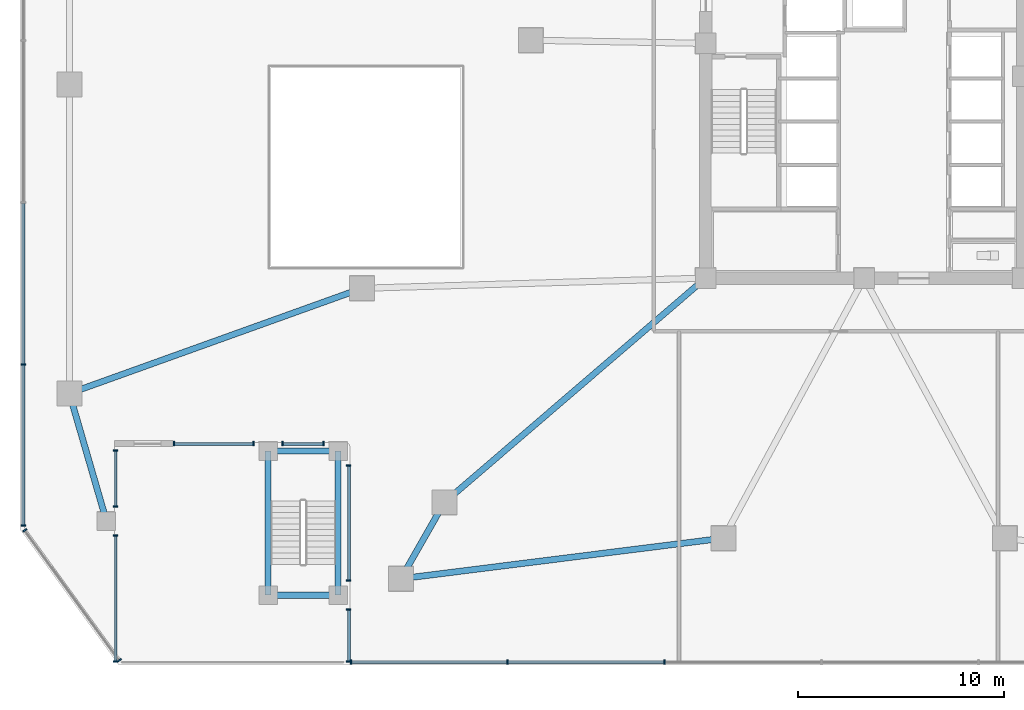
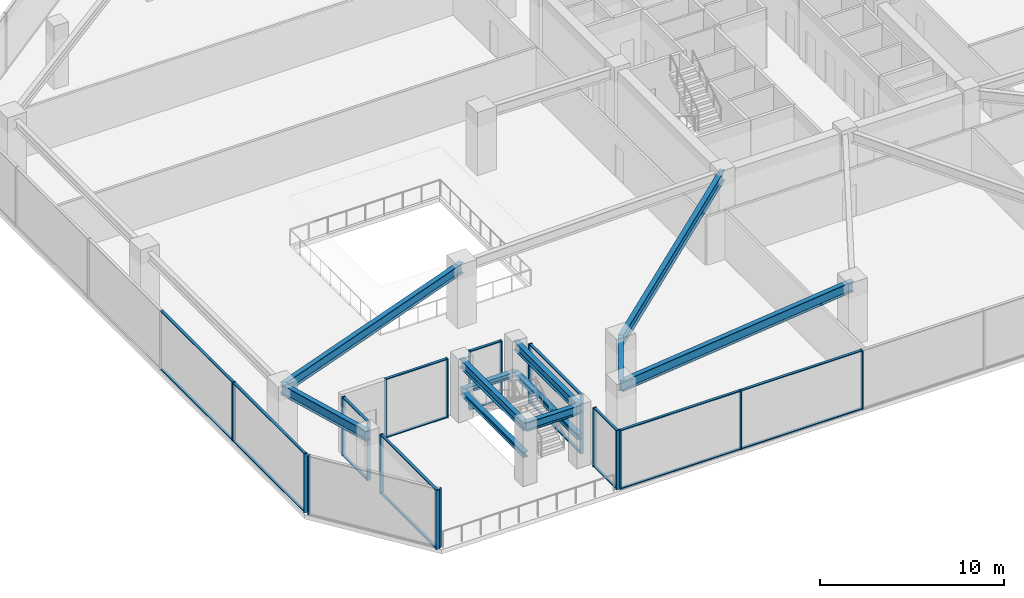
# One storey, part 2 of 22: 39 members, 11 beams, 9 elements without a shape of their own.
"""IFC4 building model written with IfcOpenShell, lengths in metres."""

from ifc_helpers import new_model, si_unit, direction, frame, origin, origin_2d, place, context, subcontext, project, spatial, rectangle, i_section, extrude, material, material_profile, profile_set, type_object, element, aggregate, save


model = new_model("IFC4")

# Units and contexts
model_context = context("Model", 3, precision=1e-05, world=origin(), true_north=direction((0.0, 1.0)))
body_context = subcontext(model_context, "Body", "Model", "MODEL_VIEW")
ifc_project = project(units=[si_unit("LENGTHUNIT", "METRE"), si_unit("AREAUNIT", "SQUARE_METRE"), si_unit("VOLUMEUNIT", "CUBIC_METRE"), si_unit("PLANEANGLEUNIT", "RADIAN"), si_unit("MASSUNIT", "GRAM", prefix="KILO")], contexts=[model_context])

# Site, building, storey
site_placement = place(None, origin())
site = spatial("IfcSite", under=ifc_project, at=site_placement, CompositionType="ELEMENT")
building_placement = place(site_placement, origin())
building = spatial("IfcBuilding", under=site, at=building_placement, Name="Savorim Split Tower", CompositionType="ELEMENT")
storey_placement = place(building_placement, frame((0.0, 0.0, 13.39990234375)))
storey = spatial("IfcBuildingStorey", under=building, at=storey_placement, Name="L03", CompositionType="ELEMENT", Elevation=13.39990234375)

# Beams
ifc_material_1 = material(Name="Steel S355", Category="steel")
ifc_material_profile_1 = material_profile(ifc_material_1, i_section(OverallWidth=0.300048828125, OverallDepth=0.60009765625, WebThickness=0.015380859375, FlangeThickness=0.030029296875, FilletRadius=0.027099609375, at=origin_2d()), Name="HEB 600")
ifc_profile_set_1 = profile_set([ifc_material_profile_1], Name="Steel S355")
beam_type_1 = type_object("IfcBeamType", Name="BM-PRI-HEB600", PredefinedType="BEAM", material=ifc_profile_set_1)
beam_1_placement = place(storey_placement, frame((-28.949951171875, -24.800048828125, 3.6201171875), z_axis=(1.0, 0.0, 0.0), x_axis=(0.0, 1.0, 0.0)))
element("IfcBeam", 1, at=beam_1_placement, inside=storey, type_object=beam_type_1, Name="L03 Exterior Garden Stair Framing Beam 1", PredefinedType="BEAM", context=body_context, shape_type="SweptSolid", body=[
    extrude(i_section(OverallWidth=0.300048828125, OverallDepth=0.60009765625, WebThickness=0.015380859375, FlangeThickness=0.030029296875, FilletRadius=0.027099609375, at=origin_2d()), origin(), (0.0, 0.0, 1.0), 3.39990234375),
])
for number, where, z_axis, x_axis, name in (
    (2, (-28.949951171875, -24.800048828125, 3.6201171875), (0.0, 1.0, 0.0), (-1.0, 0.0, 0.0), "L03 Exterior Garden Stair Framing Beam 3"),
    (3, (-25.550048828125, -24.800048828125, 3.6201171875), (0.0, 1.0, 0.0), (-1.0, 0.0, 0.0), "L03 Exterior Garden Stair Framing Beam 4"),
):
    element("IfcBeam", number, at=place(storey_placement, frame(where, z_axis=z_axis, x_axis=x_axis)), inside=storey, type_object=beam_type_1, Name=name, PredefinedType="BEAM", context=body_context, shape_type="SweptSolid", body=[
        extrude(i_section(OverallWidth=0.300048828125, OverallDepth=0.60009765625, WebThickness=0.015380859375, FlangeThickness=0.030029296875, FilletRadius=0.027099609375, at=origin_2d()), origin(), (0.0, 0.0, 1.0), 7.0),
    ])
ifc_material_profile_2 = material_profile(ifc_material_1, i_section(OverallWidth=0.300048828125, OverallDepth=0.699951171875, WebThickness=0.01708984375, FlangeThickness=0.031982421875, FilletRadius=0.027099609375, at=origin_2d()), Name="HEB 700")
ifc_profile_set_2 = profile_set([ifc_material_profile_2], Name="Steel S355")
beam_type_2 = type_object("IfcBeamType", Name="BM-PRI-HEB700", PredefinedType="BEAM", material=ifc_profile_set_2)
beam_2_placement = place(storey_placement, frame((-22.5, -24.0, 3.570068359375), z_axis=(0.495603085314, 0.868549124591, 0.0), x_axis=(-0.868549124591, 0.495603085314, 0.0)))
element("IfcBeam", 4, at=beam_2_placement, inside=storey, type_object=beam_type_2, Name="L03 Podium Primary Girder BG-01", PredefinedType="BEAM", context=body_context, shape_type="SweptSolid", body=[
    extrude(i_section(OverallWidth=0.300048828125, OverallDepth=0.699951171875, WebThickness=0.01708984375, FlangeThickness=0.031982421875, FilletRadius=0.027099609375, at=origin_2d()), origin(), (0.0, 0.0, 1.0), 4.26953125),
])
beam_3_placement = place(storey_placement, frame((-22.5, -24.0, 3.570068359375), z_axis=(0.992201816191, 0.124641710303, 0.0), x_axis=(-0.124641710303, 0.992201816191, 0.0)))
element("IfcBeam", 5, at=beam_3_placement, inside=storey, type_object=beam_type_2, Name="L03 Podium Primary Girder BG-02", PredefinedType="BEAM", context=body_context, shape_type="SweptSolid", body=[
    extrude(i_section(OverallWidth=0.300048828125, OverallDepth=0.699951171875, WebThickness=0.01708984375, FlangeThickness=0.031982421875, FilletRadius=0.027099609375, at=origin_2d()), origin(), (0.0, 0.0, 1.0), 15.791259765625),
])
beam_4_placement = place(storey_placement, frame((-38.60009765625, -15.0, 3.570068359375), z_axis=(0.941138119123, 0.338022248874, 0.0), x_axis=(-0.338022248874, 0.941138119123, 0.0)))
element("IfcBeam", 6, at=beam_4_placement, inside=storey, type_object=beam_type_2, Name="L03 Podium Primary Girder BG-19", PredefinedType="BEAM", context=body_context, shape_type="SweptSolid", body=[
    extrude(i_section(OverallWidth=0.300048828125, OverallDepth=0.699951171875, WebThickness=0.01708984375, FlangeThickness=0.031982421875, FilletRadius=0.027099609375, at=origin_2d()), origin(), (0.0, 0.0, 1.0), 15.104736328125),
])
beam_5_placement = place(storey_placement, frame((-38.60009765625, -15.0, 3.570068359375), z_axis=(0.278819195264, -0.960343613689, 0.0), x_axis=(0.960343613689, 0.278819195264, 0.0)))
element("IfcBeam", 7, at=beam_5_placement, inside=storey, type_object=beam_type_2, Name="L03 Podium Primary Girder BG-20", PredefinedType="BEAM", context=body_context, shape_type="SweptSolid", body=[
    extrude(i_section(OverallWidth=0.300048828125, OverallDepth=0.699951171875, WebThickness=0.01708984375, FlangeThickness=0.031982421875, FilletRadius=0.027099609375, at=origin_2d()), origin(), (0.0, 0.0, 1.0), 6.4560546875),
])
beam_6_placement = place(storey_placement, frame((-20.384033203125, -20.291748046875, 3.570068359375), z_axis=(0.758671842154, 0.651472974054, 0.0), x_axis=(-0.651472974054, 0.758671842154, 0.0)))
element("IfcBeam", 8, at=beam_6_placement, inside=storey, type_object=beam_type_2, Name="L03 Podium Primary Girder BG-22", PredefinedType="BEAM", context=body_context, shape_type="SweptSolid", body=[
    extrude(i_section(OverallWidth=0.300048828125, OverallDepth=0.699951171875, WebThickness=0.01708984375, FlangeThickness=0.031982421875, FilletRadius=0.027099609375, at=origin_2d()), origin(), (0.0, 0.0, 1.0), 16.71875),
])
ifc_material_profile_3 = material_profile(ifc_material_1, i_section(OverallWidth=0.300048828125, OverallDepth=0.35009765625, WebThickness=0.010009765625, FlangeThickness=0.017578125, FilletRadius=0.027099609375, at=origin_2d()), Name="HEA 360")
ifc_profile_set_3 = profile_set([ifc_material_profile_3], Name="Steel S355")
beam_type_3 = type_object("IfcBeamType", Name="BM-SPN-HEA360", PredefinedType="SPANDREL", material=ifc_profile_set_3)
beam_7_placement = place(storey_placement, frame((-28.949951171875, -17.800048828125, 1.72509765625), z_axis=(1.0, 0.0, 0.0), x_axis=(0.0, 1.0, 0.0)))
element("IfcBeam", 9, at=beam_7_placement, inside=storey, type_object=beam_type_3, Name="L03 Garden Stair Half-Landing Beam 1", PredefinedType="SPANDREL", context=body_context, shape_type="SweptSolid", body=[
    extrude(i_section(OverallWidth=0.300048828125, OverallDepth=0.35009765625, WebThickness=0.010009765625, FlangeThickness=0.017578125, FilletRadius=0.027099609375, at=origin_2d()), origin(), (0.0, 0.0, 1.0), 3.39990234375),
])
for number, where, z_axis, x_axis, name in (
    (10, (-28.949951171875, -24.800048828125, 1.72509765625), (0.0, 1.0, 0.0), (-1.0, 0.0, 0.0), "L03 Garden Stair Half-Landing Beam 2"),
    (11, (-25.550048828125, -24.800048828125, 1.72509765625), (0.0, 1.0, 0.0), (-1.0, 0.0, 0.0), "L03 Garden Stair Half-Landing Beam 3"),
):
    element("IfcBeam", number, at=place(storey_placement, frame(where, z_axis=z_axis, x_axis=x_axis)), inside=storey, type_object=beam_type_3, Name=name, PredefinedType="SPANDREL", context=body_context, shape_type="SweptSolid", body=[
        extrude(i_section(OverallWidth=0.300048828125, OverallDepth=0.35009765625, WebThickness=0.010009765625, FlangeThickness=0.017578125, FilletRadius=0.027099609375, at=origin_2d()), origin(), (0.0, 0.0, 1.0), 7.0),
    ])

# Curtain wall, members
ifc_material_2 = material(Name="Dark Ceramic-Fritted Insulated Glass", Category="glass")
curtain_wall_type = type_object("IfcCurtainWallType", Name="CW-POD-GLZ", PredefinedType="NOTDEFINED", material=ifc_material_2)
curtain_wall_1_placement = place(storey_placement, origin())
curtain_wall_1 = element("IfcCurtainWall", 12, at=curtain_wall_1_placement, inside=storey, type_object=curtain_wall_type, Name="L03 Curtain Wall CW-L03-E01S1", PredefinedType="NOTDEFINED")
ifc_material_3 = material(Name="Charcoal Anodised Aluminium", Category="aluminium")
ifc_material_profile_4 = material_profile(ifc_material_3, rectangle(XDim=0.219970703125, YDim=0.070068359375, at=origin_2d()), Name="ALU-M 220x70")
ifc_profile_set_4 = profile_set([ifc_material_profile_4], Name="Charcoal Anodised Aluminium")
member_type_1 = type_object("IfcMemberType", Name="CWM-220x70", PredefinedType="MULLION", material=ifc_profile_set_4)
member_1_placement = place(storey_placement, frame((-36.360107421875, -28.02490234375, 0.0), z_axis=(0.0, 0.0, 1.0), x_axis=(-1.0, 0.0, 0.0)))
member_1 = element("IfcMember", 13, at=member_1_placement, type_object=member_type_1, Name="CW-01 mullion 1", PredefinedType="MULLION", context=body_context, shape_type="SweptSolid", body=[
    extrude(rectangle(XDim=0.219970703125, YDim=0.070068359375, at=origin_2d()), origin(), (0.0, 0.0, 1.0), 3.920166015625),
])
member_2_placement = place(storey_placement, frame((-36.360107421875, -21.905029296875, 0.0), z_axis=(0.0, 0.0, 1.0), x_axis=(-1.0, 0.0, 0.0)))
member_2 = element("IfcMember", 14, at=member_2_placement, type_object=member_type_1, Name="CW-01 mullion 2", PredefinedType="MULLION", context=body_context, shape_type="SweptSolid", body=[
    extrude(rectangle(XDim=0.219970703125, YDim=0.070068359375, at=origin_2d()), origin(), (0.0, 0.0, 1.0), 3.920166015625),
])

curtain_wall_2_placement = place(storey_placement, origin())
curtain_wall_2 = element("IfcCurtainWall", 15, at=curtain_wall_2_placement, inside=storey, type_object=curtain_wall_type, Name="L03 Curtain Wall CW-L03-E01S2", PredefinedType="NOTDEFINED")
member_3_placement = place(storey_placement, frame((-36.360107421875, -20.4951171875, 0.0), z_axis=(0.0, 0.0, 1.0), x_axis=(-1.0, 0.0, 0.0)))
member_3 = element("IfcMember", 16, at=member_3_placement, type_object=member_type_1, Name="CW-01 mullion 1", PredefinedType="MULLION", context=body_context, shape_type="SweptSolid", body=[
    extrude(rectangle(XDim=0.219970703125, YDim=0.070068359375, at=origin_2d()), origin(), (0.0, 0.0, 1.0), 3.920166015625),
])
member_4_placement = place(storey_placement, frame((-36.360107421875, -17.77490234375, 0.0), z_axis=(0.0, 0.0, 1.0), x_axis=(-1.0, 0.0, 0.0)))
member_4 = element("IfcMember", 17, at=member_4_placement, type_object=member_type_1, Name="CW-01 mullion 2", PredefinedType="MULLION", context=body_context, shape_type="SweptSolid", body=[
    extrude(rectangle(XDim=0.219970703125, YDim=0.070068359375, at=origin_2d()), origin(), (0.0, 0.0, 1.0), 3.920166015625),
])

curtain_wall_3_placement = place(storey_placement, origin())
curtain_wall_3 = element("IfcCurtainWall", 18, at=curtain_wall_3_placement, inside=storey, type_object=curtain_wall_type, Name="L03 Curtain Wall CW-L03-E02S1", PredefinedType="NOTDEFINED")
member_5_placement = place(storey_placement, frame((-33.52490234375, -17.43994140625, 0.0), z_axis=(0.0, 0.0, 1.0), x_axis=(0.0, 1.0, 0.0)))
member_5 = element("IfcMember", 19, at=member_5_placement, type_object=member_type_1, Name="CW-01 mullion 1", PredefinedType="MULLION", context=body_context, shape_type="SweptSolid", body=[
    extrude(rectangle(XDim=0.219970703125, YDim=0.070068359375, at=origin_2d()), origin(), (0.0, 0.0, 1.0), 3.920166015625),
])
member_6_placement = place(storey_placement, frame((-29.655029296875, -17.43994140625, 0.0), z_axis=(0.0, 0.0, 1.0), x_axis=(0.0, 1.0, 0.0)))
member_6 = element("IfcMember", 20, at=member_6_placement, type_object=member_type_1, Name="CW-01 mullion 2", PredefinedType="MULLION", context=body_context, shape_type="SweptSolid", body=[
    extrude(rectangle(XDim=0.219970703125, YDim=0.070068359375, at=origin_2d()), origin(), (0.0, 0.0, 1.0), 3.920166015625),
])

curtain_wall_4_placement = place(storey_placement, origin())
curtain_wall_4 = element("IfcCurtainWall", 21, at=curtain_wall_4_placement, inside=storey, type_object=curtain_wall_type, Name="L03 Curtain Wall CW-L03-E02S2", PredefinedType="NOTDEFINED")
member_7_placement = place(storey_placement, frame((-28.2451171875, -17.43994140625, 0.0), z_axis=(0.0, 0.0, 1.0), x_axis=(0.0, 1.0, 0.0)))
member_7 = element("IfcMember", 22, at=member_7_placement, type_object=member_type_1, Name="CW-01 mullion 1", PredefinedType="MULLION", context=body_context, shape_type="SweptSolid", body=[
    extrude(rectangle(XDim=0.219970703125, YDim=0.070068359375, at=origin_2d()), origin(), (0.0, 0.0, 1.0), 3.920166015625),
])
member_8_placement = place(storey_placement, frame((-26.2548828125, -17.43994140625, 0.0), z_axis=(0.0, 0.0, 1.0), x_axis=(0.0, 1.0, 0.0)))
member_8 = element("IfcMember", 23, at=member_8_placement, type_object=member_type_1, Name="CW-01 mullion 2", PredefinedType="MULLION", context=body_context, shape_type="SweptSolid", body=[
    extrude(rectangle(XDim=0.219970703125, YDim=0.070068359375, at=origin_2d()), origin(), (0.0, 0.0, 1.0), 3.920166015625),
])

curtain_wall_5_placement = place(storey_placement, origin())
curtain_wall_5 = element("IfcCurtainWall", 24, at=curtain_wall_5_placement, inside=storey, type_object=curtain_wall_type, Name="L03 Curtain Wall CW-L03-E03S1", PredefinedType="NOTDEFINED")
member_9_placement = place(storey_placement, frame((-25.0400390625, -18.5048828125, 0.0), z_axis=(0.0, 0.0, 1.0), x_axis=(1.0, 0.0, 0.0)))
member_9 = element("IfcMember", 25, at=member_9_placement, type_object=member_type_1, Name="CW-01 mullion 1", PredefinedType="MULLION", context=body_context, shape_type="SweptSolid", body=[
    extrude(rectangle(XDim=0.219970703125, YDim=0.070068359375, at=origin_2d()), origin(), (0.0, 0.0, 1.0), 3.920166015625),
])
member_10_placement = place(storey_placement, frame((-25.0400390625, -24.094970703125, 0.0), z_axis=(0.0, 0.0, 1.0), x_axis=(1.0, 0.0, 0.0)))
member_10 = element("IfcMember", 26, at=member_10_placement, type_object=member_type_1, Name="CW-01 mullion 2", PredefinedType="MULLION", context=body_context, shape_type="SweptSolid", body=[
    extrude(rectangle(XDim=0.219970703125, YDim=0.070068359375, at=origin_2d()), origin(), (0.0, 0.0, 1.0), 3.920166015625),
])

curtain_wall_6_placement = place(storey_placement, origin())
curtain_wall_6 = element("IfcCurtainWall", 27, at=curtain_wall_6_placement, inside=storey, type_object=curtain_wall_type, Name="L03 Curtain Wall CW-L03-E03S2", PredefinedType="NOTDEFINED")
member_11_placement = place(storey_placement, frame((-25.0400390625, -25.5048828125, 0.0), z_axis=(0.0, 0.0, 1.0), x_axis=(1.0, 0.0, 0.0)))
member_11 = element("IfcMember", 28, at=member_11_placement, type_object=member_type_1, Name="CW-01 mullion 1", PredefinedType="MULLION", context=body_context, shape_type="SweptSolid", body=[
    extrude(rectangle(XDim=0.219970703125, YDim=0.070068359375, at=origin_2d()), origin(), (0.0, 0.0, 1.0), 3.920166015625),
])
member_12_placement = place(storey_placement, frame((-25.0400390625, -28.02490234375, 0.0), z_axis=(0.0, 0.0, 1.0), x_axis=(1.0, 0.0, 0.0)))
member_12 = element("IfcMember", 29, at=member_12_placement, type_object=member_type_1, Name="CW-01 mullion 2", PredefinedType="MULLION", context=body_context, shape_type="SweptSolid", body=[
    extrude(rectangle(XDim=0.219970703125, YDim=0.070068359375, at=origin_2d()), origin(), (0.0, 0.0, 1.0), 3.920166015625),
])

curtain_wall_7_placement = place(storey_placement, origin())
curtain_wall_7 = element("IfcCurtainWall", 30, at=curtain_wall_7_placement, inside=storey, type_object=curtain_wall_type, Name="L03 Curtain Wall CW-L03-E04", PredefinedType="NOTDEFINED")
member_13_placement = place(storey_placement, frame((-24.919921875, -28.0400390625, 0.0), z_axis=(0.0, 0.0, 1.0), x_axis=(0.0, 1.0, 0.0)))
member_13 = element("IfcMember", 31, at=member_13_placement, type_object=member_type_1, Name="CW-01 mullion 1", PredefinedType="MULLION", context=body_context, shape_type="SweptSolid", body=[
    extrude(rectangle(XDim=0.219970703125, YDim=0.070068359375, at=origin_2d()), origin(), (0.0, 0.0, 1.0), 3.920166015625),
])
member_14_placement = place(storey_placement, frame((-17.328125, -28.0400390625, 0.0), z_axis=(0.0, 0.0, 1.0), x_axis=(0.0, 1.0, 0.0)))
member_14 = element("IfcMember", 32, at=member_14_placement, type_object=member_type_1, Name="CW-01 mullion 2", PredefinedType="MULLION", context=body_context, shape_type="SweptSolid", body=[
    extrude(rectangle(XDim=0.219970703125, YDim=0.070068359375, at=origin_2d()), origin(), (0.0, 0.0, 1.0), 3.920166015625),
])
member_15_placement = place(storey_placement, frame((-9.701171875, -28.0400390625, 0.0), z_axis=(0.0, 0.0, 1.0), x_axis=(0.0, 1.0, 0.0)))
member_15 = element("IfcMember", 33, at=member_15_placement, type_object=member_type_1, Name="CW-01 mullion 3", PredefinedType="MULLION", context=body_context, shape_type="SweptSolid", body=[
    extrude(rectangle(XDim=0.219970703125, YDim=0.070068359375, at=origin_2d()), origin(), (0.0, 0.0, 1.0), 3.920166015625),
])

curtain_wall_8_placement = place(storey_placement, origin())
curtain_wall_8 = element("IfcCurtainWall", 34, at=curtain_wall_8_placement, inside=storey, type_object=curtain_wall_type, Name="L03 Curtain Wall CW-L03-E10", PredefinedType="NOTDEFINED")
member_16_placement = place(storey_placement, frame((-40.840087890625, -13.595947265625, 0.0), z_axis=(0.0, 0.0, 1.0), x_axis=(1.0, 0.0, 0.0)))
member_16 = element("IfcMember", 35, at=member_16_placement, type_object=member_type_1, Name="CW-01 mullion 5", PredefinedType="MULLION", context=body_context, shape_type="SweptSolid", body=[
    extrude(rectangle(XDim=0.219970703125, YDim=0.070068359375, at=origin_2d()), origin(), (0.0, 0.0, 1.0), 3.920166015625),
])
member_17_placement = place(storey_placement, frame((-40.840087890625, -21.425048828125, 0.0), z_axis=(0.0, 0.0, 1.0), x_axis=(1.0, 0.0, 0.0)))
member_17 = element("IfcMember", 36, at=member_17_placement, type_object=member_type_1, Name="CW-01 mullion 6", PredefinedType="MULLION", context=body_context, shape_type="SweptSolid", body=[
    extrude(rectangle(XDim=0.219970703125, YDim=0.070068359375, at=origin_2d()), origin(), (0.0, 0.0, 1.0), 3.920166015625),
])

curtain_wall_9_placement = place(storey_placement, origin())
curtain_wall_9 = element("IfcCurtainWall", 37, at=curtain_wall_9_placement, inside=storey, type_object=curtain_wall_type, Name="L03 Curtain Wall CW-L03-E11", PredefinedType="NOTDEFINED")
member_18_placement = place(storey_placement, frame((-40.767822265625, -21.6474609375, 0.0), z_axis=(0.0, 0.0, 1.0), x_axis=(0.808732792063, 0.588176224478, 0.0)))
member_18 = element("IfcMember", 38, at=member_18_placement, type_object=member_type_1, Name="CW-01 mullion 1", PredefinedType="MULLION", context=body_context, shape_type="SweptSolid", body=[
    extrude(rectangle(XDim=0.219970703125, YDim=0.070068359375, at=origin_2d()), origin(), (0.0, 0.0, 1.0), 3.920166015625),
])
member_19_placement = place(storey_placement, frame((-36.173583984375, -27.96435546875, 0.0), z_axis=(0.0, 0.0, 1.0), x_axis=(0.808732792063, 0.588176224478, 0.0)))
member_19 = element("IfcMember", 39, at=member_19_placement, type_object=member_type_1, Name="CW-01 mullion 2", PredefinedType="MULLION", context=body_context, shape_type="SweptSolid", body=[
    extrude(rectangle(XDim=0.219970703125, YDim=0.070068359375, at=origin_2d()), origin(), (0.0, 0.0, 1.0), 3.920166015625),
])
aggregate(curtain_wall_9, [member_18, member_19])

# Member
ifc_material_profile_5 = material_profile(ifc_material_3, rectangle(XDim=0.159912109375, YDim=0.06005859375, at=origin_2d()), Name="ALU-T 160x60")
ifc_profile_set_5 = profile_set([ifc_material_profile_5], Name="Charcoal Anodised Aluminium")
member_type_2 = type_object("IfcMemberType", Name="CWT-160x60", PredefinedType="USERDEFINED", material=ifc_profile_set_5)
member_20_placement = place(storey_placement, frame((-36.360107421875, -27.989990234375, 0.030029296875), z_axis=(0.0, 1.0, 0.0), x_axis=(-1.0, 0.0, 0.0)))
member_20 = element("IfcMember", 40, at=member_20_placement, type_object=member_type_2, Name="CW-01 transom 1.1", ObjectType="TRANSOM", PredefinedType="USERDEFINED", context=body_context, shape_type="SweptSolid", body=[
    extrude(rectangle(XDim=0.159912109375, YDim=0.06005859375, at=origin_2d()), origin(), (0.0, 0.0, 1.0), 6.050048828125),
])

member_21_placement = place(storey_placement, frame((-36.360107421875, -27.989990234375, 3.89013671875), z_axis=(0.0, 1.0, 0.0), x_axis=(-1.0, 0.0, 0.0)))
member_21 = element("IfcMember", 41, at=member_21_placement, type_object=member_type_2, Name="CW-01 transom 1.2", ObjectType="TRANSOM", PredefinedType="USERDEFINED", context=body_context, shape_type="SweptSolid", body=[
    extrude(rectangle(XDim=0.159912109375, YDim=0.06005859375, at=origin_2d()), origin(), (0.0, 0.0, 1.0), 6.050048828125),
])

aggregate(curtain_wall_1, [member_1, member_2, member_20, member_21])

member_22_placement = place(storey_placement, frame((-36.360107421875, -20.4599609375, 0.030029296875), z_axis=(0.0, 1.0, 0.0), x_axis=(-1.0, 0.0, 0.0)))
member_22 = element("IfcMember", 42, at=member_22_placement, type_object=member_type_2, Name="CW-01 transom 1.1", ObjectType="TRANSOM", PredefinedType="USERDEFINED", context=body_context, shape_type="SweptSolid", body=[
    extrude(rectangle(XDim=0.159912109375, YDim=0.06005859375, at=origin_2d()), origin(), (0.0, 0.0, 1.0), 2.64990234375),
])

member_23_placement = place(storey_placement, frame((-36.360107421875, -20.4599609375, 3.89013671875), z_axis=(0.0, 1.0, 0.0), x_axis=(-1.0, 0.0, 0.0)))
member_23 = element("IfcMember", 43, at=member_23_placement, type_object=member_type_2, Name="CW-01 transom 1.2", ObjectType="TRANSOM", PredefinedType="USERDEFINED", context=body_context, shape_type="SweptSolid", body=[
    extrude(rectangle(XDim=0.159912109375, YDim=0.06005859375, at=origin_2d()), origin(), (0.0, 0.0, 1.0), 2.64990234375),
])

aggregate(curtain_wall_2, [member_3, member_4, member_22, member_23])

member_24_placement = place(storey_placement, frame((-33.489990234375, -17.43994140625, 0.030029296875), z_axis=(1.0, 0.0, 0.0), x_axis=(0.0, 1.0, 0.0)))
member_24 = element("IfcMember", 44, at=member_24_placement, type_object=member_type_2, Name="CW-01 transom 1.1", ObjectType="TRANSOM", PredefinedType="USERDEFINED", context=body_context, shape_type="SweptSolid", body=[
    extrude(rectangle(XDim=0.159912109375, YDim=0.06005859375, at=origin_2d()), origin(), (0.0, 0.0, 1.0), 3.800048828125),
])

member_25_placement = place(storey_placement, frame((-33.489990234375, -17.43994140625, 3.89013671875), z_axis=(1.0, 0.0, 0.0), x_axis=(0.0, 1.0, 0.0)))
member_25 = element("IfcMember", 45, at=member_25_placement, type_object=member_type_2, Name="CW-01 transom 1.2", ObjectType="TRANSOM", PredefinedType="USERDEFINED", context=body_context, shape_type="SweptSolid", body=[
    extrude(rectangle(XDim=0.159912109375, YDim=0.06005859375, at=origin_2d()), origin(), (0.0, 0.0, 1.0), 3.800048828125),
])

aggregate(curtain_wall_3, [member_5, member_6, member_24, member_25])

member_26_placement = place(storey_placement, frame((-28.2099609375, -17.43994140625, 0.030029296875), z_axis=(1.0, 0.0, 0.0), x_axis=(0.0, 1.0, 0.0)))
member_26 = element("IfcMember", 46, at=member_26_placement, type_object=member_type_2, Name="CW-01 transom 1.1", ObjectType="TRANSOM", PredefinedType="USERDEFINED", context=body_context, shape_type="SweptSolid", body=[
    extrude(rectangle(XDim=0.159912109375, YDim=0.06005859375, at=origin_2d()), origin(), (0.0, 0.0, 1.0), 1.919921875),
])

member_27_placement = place(storey_placement, frame((-28.2099609375, -17.43994140625, 3.89013671875), z_axis=(1.0, 0.0, 0.0), x_axis=(0.0, 1.0, 0.0)))
member_27 = element("IfcMember", 47, at=member_27_placement, type_object=member_type_2, Name="CW-01 transom 1.2", ObjectType="TRANSOM", PredefinedType="USERDEFINED", context=body_context, shape_type="SweptSolid", body=[
    extrude(rectangle(XDim=0.159912109375, YDim=0.06005859375, at=origin_2d()), origin(), (0.0, 0.0, 1.0), 1.919921875),
])

aggregate(curtain_wall_4, [member_7, member_8, member_26, member_27])

member_28_placement = place(storey_placement, frame((-25.0400390625, -18.5400390625, 0.030029296875), z_axis=(0.0, -1.0, 0.0), x_axis=(1.0, 0.0, 0.0)))
member_28 = element("IfcMember", 48, at=member_28_placement, type_object=member_type_2, Name="CW-01 transom 1.1", ObjectType="TRANSOM", PredefinedType="USERDEFINED", context=body_context, shape_type="SweptSolid", body=[
    extrude(rectangle(XDim=0.159912109375, YDim=0.06005859375, at=origin_2d()), origin(), (0.0, 0.0, 1.0), 5.52001953125),
])

member_29_placement = place(storey_placement, frame((-25.0400390625, -18.5400390625, 3.89013671875), z_axis=(0.0, -1.0, 0.0), x_axis=(1.0, 0.0, 0.0)))
member_29 = element("IfcMember", 49, at=member_29_placement, type_object=member_type_2, Name="CW-01 transom 1.2", ObjectType="TRANSOM", PredefinedType="USERDEFINED", context=body_context, shape_type="SweptSolid", body=[
    extrude(rectangle(XDim=0.159912109375, YDim=0.06005859375, at=origin_2d()), origin(), (0.0, 0.0, 1.0), 5.52001953125),
])

aggregate(curtain_wall_5, [member_9, member_10, member_28, member_29])

member_30_placement = place(storey_placement, frame((-25.0400390625, -25.5400390625, 0.030029296875), z_axis=(0.0, -1.0, 0.0), x_axis=(1.0, 0.0, 0.0)))
member_30 = element("IfcMember", 50, at=member_30_placement, type_object=member_type_2, Name="CW-01 transom 1.1", ObjectType="TRANSOM", PredefinedType="USERDEFINED", context=body_context, shape_type="SweptSolid", body=[
    extrude(rectangle(XDim=0.159912109375, YDim=0.06005859375, at=origin_2d()), origin(), (0.0, 0.0, 1.0), 2.449951171875),
])

member_31_placement = place(storey_placement, frame((-25.0400390625, -25.5400390625, 3.89013671875), z_axis=(0.0, -1.0, 0.0), x_axis=(1.0, 0.0, 0.0)))
member_31 = element("IfcMember", 51, at=member_31_placement, type_object=member_type_2, Name="CW-01 transom 1.2", ObjectType="TRANSOM", PredefinedType="USERDEFINED", context=body_context, shape_type="SweptSolid", body=[
    extrude(rectangle(XDim=0.159912109375, YDim=0.06005859375, at=origin_2d()), origin(), (0.0, 0.0, 1.0), 2.449951171875),
])

aggregate(curtain_wall_6, [member_11, member_12, member_30, member_31])

member_32_placement = place(storey_placement, frame((-24.885009765625, -28.0400390625, 0.030029296875), z_axis=(1.0, 0.0, 0.0), x_axis=(0.0, 1.0, 0.0)))
member_32 = element("IfcMember", 52, at=member_32_placement, type_object=member_type_2, Name="CW-01 transom 1.1", ObjectType="TRANSOM", PredefinedType="USERDEFINED", context=body_context, shape_type="SweptSolid", body=[
    extrude(rectangle(XDim=0.159912109375, YDim=0.06005859375, at=origin_2d()), origin(), (0.0, 0.0, 1.0), 7.52197265625),
])

member_33_placement = place(storey_placement, frame((-24.885009765625, -28.0400390625, 3.89013671875), z_axis=(1.0, 0.0, 0.0), x_axis=(0.0, 1.0, 0.0)))
member_33 = element("IfcMember", 53, at=member_33_placement, type_object=member_type_2, Name="CW-01 transom 1.2", ObjectType="TRANSOM", PredefinedType="USERDEFINED", context=body_context, shape_type="SweptSolid", body=[
    extrude(rectangle(XDim=0.159912109375, YDim=0.06005859375, at=origin_2d()), origin(), (0.0, 0.0, 1.0), 7.52197265625),
])

member_34_placement = place(storey_placement, frame((-17.293212890625, -28.0400390625, 0.030029296875), z_axis=(1.0, 0.0, 0.0), x_axis=(0.0, 1.0, 0.0)))
member_34 = element("IfcMember", 54, at=member_34_placement, type_object=member_type_2, Name="CW-01 transom 2.1", ObjectType="TRANSOM", PredefinedType="USERDEFINED", context=body_context, shape_type="SweptSolid", body=[
    extrude(rectangle(XDim=0.159912109375, YDim=0.06005859375, at=origin_2d()), origin(), (0.0, 0.0, 1.0), 7.556884765625),
])

member_35_placement = place(storey_placement, frame((-17.293212890625, -28.0400390625, 3.89013671875), z_axis=(1.0, 0.0, 0.0), x_axis=(0.0, 1.0, 0.0)))
member_35 = element("IfcMember", 55, at=member_35_placement, type_object=member_type_2, Name="CW-01 transom 2.2", ObjectType="TRANSOM", PredefinedType="USERDEFINED", context=body_context, shape_type="SweptSolid", body=[
    extrude(rectangle(XDim=0.159912109375, YDim=0.06005859375, at=origin_2d()), origin(), (0.0, 0.0, 1.0), 7.556884765625),
])

aggregate(curtain_wall_7, [member_13, member_14, member_15, member_32, member_33, member_34, member_35])

member_36_placement = place(storey_placement, frame((-40.840087890625, -5.76708984375, 0.030029296875), z_axis=(0.0, -1.0, 0.0), x_axis=(1.0, 0.0, 0.0)))
member_36 = element("IfcMember", 56, at=member_36_placement, type_object=member_type_2, Name="CW-01 transom 4.1", ObjectType="TRANSOM", PredefinedType="USERDEFINED", context=body_context, shape_type="SweptSolid", body=[
    extrude(rectangle(XDim=0.159912109375, YDim=0.06005859375, at=origin_2d()), origin(), (0.0, 0.0, 1.0), 7.7939453125),
])

member_37_placement = place(storey_placement, frame((-40.840087890625, -5.76708984375, 3.89013671875), z_axis=(0.0, -1.0, 0.0), x_axis=(1.0, 0.0, 0.0)))
member_37 = element("IfcMember", 57, at=member_37_placement, type_object=member_type_2, Name="CW-01 transom 4.2", ObjectType="TRANSOM", PredefinedType="USERDEFINED", context=body_context, shape_type="SweptSolid", body=[
    extrude(rectangle(XDim=0.159912109375, YDim=0.06005859375, at=origin_2d()), origin(), (0.0, 0.0, 1.0), 7.7939453125),
])

member_38_placement = place(storey_placement, frame((-40.840087890625, -13.631103515625, 0.030029296875), z_axis=(0.0, -1.0, 0.0), x_axis=(1.0, 0.0, 0.0)))
member_38 = element("IfcMember", 58, at=member_38_placement, type_object=member_type_2, Name="CW-01 transom 5.1", ObjectType="TRANSOM", PredefinedType="USERDEFINED", context=body_context, shape_type="SweptSolid", body=[
    extrude(rectangle(XDim=0.159912109375, YDim=0.06005859375, at=origin_2d()), origin(), (0.0, 0.0, 1.0), 7.7587890625),
])

member_39_placement = place(storey_placement, frame((-40.840087890625, -13.631103515625, 3.89013671875), z_axis=(0.0, -1.0, 0.0), x_axis=(1.0, 0.0, 0.0)))
member_39 = element("IfcMember", 59, at=member_39_placement, type_object=member_type_2, Name="CW-01 transom 5.2", ObjectType="TRANSOM", PredefinedType="USERDEFINED", context=body_context, shape_type="SweptSolid", body=[
    extrude(rectangle(XDim=0.159912109375, YDim=0.06005859375, at=origin_2d()), origin(), (0.0, 0.0, 1.0), 7.7587890625),
])

aggregate(curtain_wall_8, [member_16, member_17, member_36, member_37, member_38, member_39])

save(model, "model.ifc")
